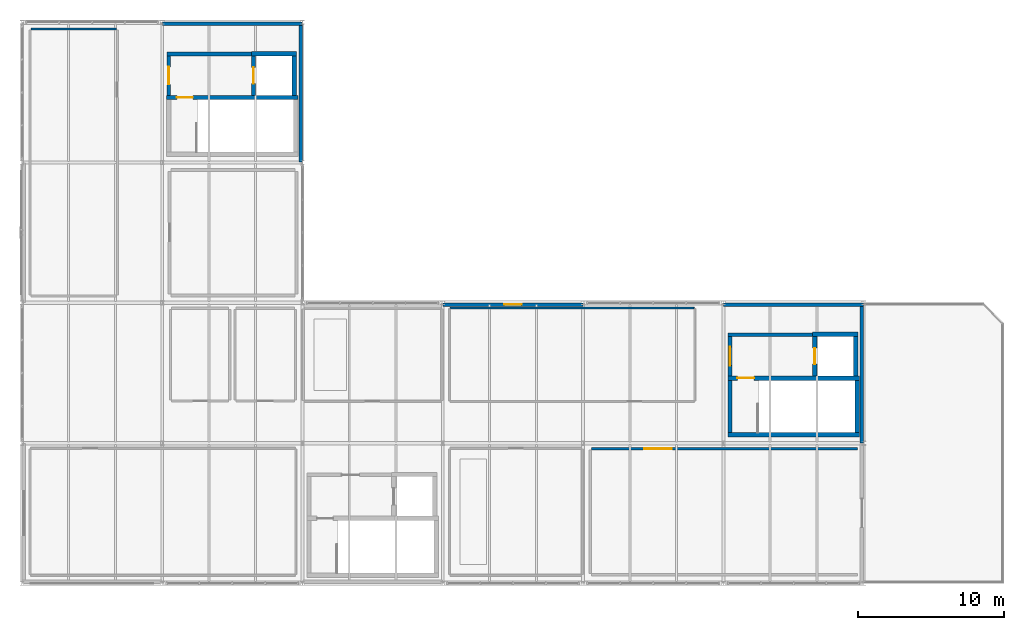
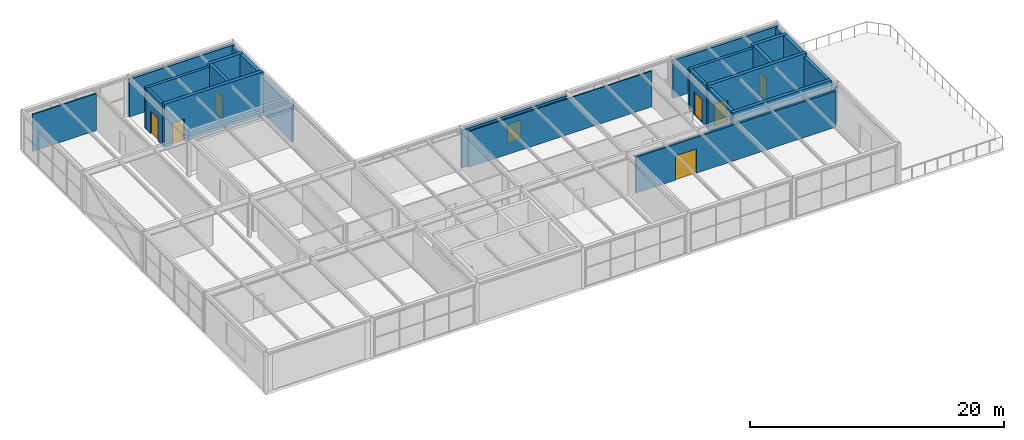
# One storey, part 32 of 33: 23 walls, 7 doors, 1 window, 8 openings.
"""IFC4 building model written with IfcOpenShell, lengths in metres."""

import ifcopenshell
import ifcopenshell.guid

model = None  # the IFC model being written
_history = None  # IfcOwnerHistory: only IFC2X3 demands one
_inside = {}  # id of a spatial element -> (the spatial element, [elements in it])
_under = {}  # id of a project, library or spatial element -> (it, [spatial elements below it])
_declared = {}  # id of a project -> (the project, [libraries it declares])
_typed = {}  # id of a type object -> (the type object, [elements of that type])
_made_of = {}  # id of a material, layer set ... -> (it, [elements and type objects made of it])


def new_model(schema):
    """Start an empty IFC model of exactly this schema.

    Asked for "IFC4X3", IfcOpenShell would pick the latest addendum, in which some entities
    have other attributes; the version numbers below select the first issue.
    IFC2X3 requires an IfcOwnerHistory on every rooted entity: one is made here for all.
    """
    global model, _history
    if schema == "IFC4X3":
        model = ifcopenshell.file(schema_version=(4, 3, 0, 0))
    else:
        model = ifcopenshell.file(schema=schema)
    _inside.clear()
    _under.clear()
    _declared.clear()
    _typed.clear()
    _made_of.clear()
    _history = None
    if model.schema == "IFC2X3":
        org = make("IfcOrganization", Name="unknown")
        user = make(
            "IfcPersonAndOrganization",
            ThePerson=make("IfcPerson", FamilyName="unknown"),
            TheOrganization=org,
        )
        app = make(
            "IfcApplication",
            ApplicationDeveloper=org,
            Version="unknown",
            ApplicationFullName="unknown",
            ApplicationIdentifier="unknown",
        )
        _history = make(
            "IfcOwnerHistory",
            OwningUser=user,
            OwningApplication=app,
            ChangeAction="ADDED",
            CreationDate=0,
        )
    return model


def make(cls, **values):
    """One entity of the class cls with the attributes given. An attribute that is None is left unset."""
    return model.create_entity(
        cls, **{name: value for name, value in values.items() if value is not None}
    )


def rooted(cls, **values):
    """An entity with a GlobalId (a new one), such as an element, a storey or a relation."""
    return make(cls, GlobalId=ifcopenshell.guid.new(), OwnerHistory=_history, **values)


def si_unit(unit_type, name, prefix=None):
    """IfcSIUnit, for example si_unit("LENGTHUNIT", "METRE", prefix="MILLI")."""
    return make("IfcSIUnit", UnitType=unit_type, Prefix=prefix, Name=name)


def assignment(units):
    """IfcUnitAssignment: the units of a project."""
    return None if units is None else make("IfcUnitAssignment", Units=units)


def point(xyz):
    """IfcCartesianPoint."""
    return None if xyz is None else make("IfcCartesianPoint", Coordinates=xyz)


def direction(xyz):
    """IfcDirection."""
    return None if xyz is None else make("IfcDirection", DirectionRatios=xyz)


def frame(location, z_axis=None, x_axis=None):
    """IfcAxis2Placement3D, a coordinate frame: its origin and axes. An axis left out is left unset."""
    return make(
        "IfcAxis2Placement3D",
        Location=point(location),
        Axis=direction(z_axis),
        RefDirection=direction(x_axis),
    )


def frame_2d(location, x_axis=None):
    """IfcAxis2Placement2D, a coordinate frame in the plane: its origin and x axis."""
    return make(
        "IfcAxis2Placement2D", Location=point(location), RefDirection=direction(x_axis)
    )


def origin():
    """The frame at (0, 0, 0) with its axes left unset."""
    return frame((0.0, 0.0, 0.0))


def place(relative_to, where):
    """IfcLocalPlacement: puts the frame where relative to a parent placement (None: the world)."""
    return make(
        "IfcLocalPlacement", PlacementRelTo=relative_to, RelativePlacement=where
    )


def context(
    kind, dimensions, precision=None, world=None, true_north=None, identifier=None
):
    """IfcGeometricRepresentationContext, for example the 3D "Model" context."""
    return make(
        "IfcGeometricRepresentationContext",
        ContextIdentifier=identifier,
        ContextType=kind,
        CoordinateSpaceDimension=dimensions,
        Precision=precision,
        WorldCoordinateSystem=world,
        TrueNorth=true_north,
    )


def subcontext(parent, identifier, kind, view, scale=None):
    """IfcGeometricRepresentationSubContext, for example "Body" below "Model"."""
    return make(
        "IfcGeometricRepresentationSubContext",
        ContextIdentifier=identifier,
        ContextType=kind,
        ParentContext=parent,
        TargetScale=scale,
        TargetView=view,
    )


def project(units=None, contexts=None):
    """IfcProject with its units and contexts."""
    return rooted(
        "IfcProject",
        Name="project",
        RepresentationContexts=contexts,
        UnitsInContext=assignment(units),
    )


def spatial(cls, under=None, at=None, **own):
    """A site, building, storey or space (cls), placed at a placement, below another one or the project."""
    s = rooted(cls, ObjectPlacement=at, **own)
    if under is not None:
        _under.setdefault(under.id(), (under, []))[1].append(s)
    return s


def profile(cls, at=None, kind="AREA", **sizes):
    """A parametric profile (cls). Its sizes go by their IFC names, for example OverallWidth=200.0."""
    return make(cls, ProfileType=kind, Position=at, **sizes)


def rectangle(**sizes):
    """IfcRectangleProfileDef."""
    return profile("IfcRectangleProfileDef", **sizes)


def extrude(swept, where, along, depth):
    """IfcExtrudedAreaSolid: the profile swept, set in the frame where, extruded along a direction by depth."""
    return make(
        "IfcExtrudedAreaSolid",
        SweptArea=swept,
        Position=where,
        ExtrudedDirection=direction(along),
        Depth=depth,
    )


def shape(context_of_items, identifier, shape_type, items):
    """IfcShapeRepresentation: the items that make up one representation, for example the "Body"."""
    return make(
        "IfcShapeRepresentation",
        ContextOfItems=context_of_items,
        RepresentationIdentifier=identifier,
        RepresentationType=shape_type,
        Items=items,
    )


def material(Name=None, Category=None):
    """IfcMaterial."""
    return make("IfcMaterial", Name=Name, Category=Category)


def layer(
    of_material, thickness, ventilated=None, Name=None, Category=None, Priority=None
):
    """IfcMaterialLayer: one layer of a wall or slab, of a material (None: an air gap)."""
    return make(
        "IfcMaterialLayer",
        Material=of_material,
        LayerThickness=thickness,
        IsVentilated=ventilated,
        Name=Name,
        Category=Category,
        Priority=Priority,
    )


def layer_set(layers, Name=None):
    """IfcMaterialLayerSet."""
    return make("IfcMaterialLayerSet", MaterialLayers=layers, LayerSetName=Name)


def made_of(thing, what):
    """Note that an element or type object is made of a material, layer set ...; save() writes the relation."""
    if what is not None:
        _made_of.setdefault(what.id(), (what, []))[1].append(thing)
    return thing


def type_object(cls, material=None, **own):
    """A type object (cls), such as IfcWallType, which elements share."""
    return made_of(rooted(cls, **own), material)


def element(
    cls,
    number,
    at=None,
    inside=None,
    cuts=None,
    type_object=None,
    material=None,
    context=None,
    identifier="Body",
    shape_type=None,
    held_by="IfcProductDefinitionShape",
    body=None,
    shapes=None,
    **own,
):
    """One element of the class cls, such as IfcWall. Its Tag is "e" and its number.

    at: its placement. inside: the storey or other place that contains it. cuts: it is an
    opening in that element (IfcRelVoidsElement). A single representation is given by context,
    identifier, shape_type and body (its items); several are given by shapes. held_by: the class
    of the entity that holds the representations. save() writes the other relations.
    """
    e = rooted(cls, Tag="e%d" % number, ObjectPlacement=at, **own)
    if body is not None:
        shapes = [shape(context, identifier, shape_type, body)]
    if shapes is not None:
        e.Representation = make(held_by, Representations=shapes)
    if inside is not None:
        _inside.setdefault(inside.id(), (inside, []))[1].append(e)
    if cuts is not None:
        rooted(
            "IfcRelVoidsElement", RelatingBuildingElement=cuts, RelatedOpeningElement=e
        )
    if type_object is not None:
        _typed.setdefault(type_object.id(), (type_object, []))[1].append(e)
    return made_of(e, material)


def fill(opening, filler):
    """IfcRelFillsElement: the door or window that sits in an opening."""
    return rooted(
        "IfcRelFillsElement",
        RelatingOpeningElement=opening,
        RelatedBuildingElement=filler,
    )


def aggregate(whole, parts):
    """IfcRelAggregates: a whole, such as a stair, and the parts it consists of."""
    return rooted("IfcRelAggregates", RelatingObject=whole, RelatedObjects=parts)


def save(model, path):
    """Write the relations noted so far, then the file.

    IfcRelAggregates (storeys below a building ...), IfcRelContainedInSpatialStructure (elements
    in a storey), IfcRelDefinesByType, IfcRelAssociatesMaterial and IfcRelDeclares: one each for
    every whole, place, type object, material and project.
    """
    for whole, parts in _under.values():
        aggregate(whole, parts)
    for where, things in _inside.values():
        rooted(
            "IfcRelContainedInSpatialStructure",
            RelatedElements=things,
            RelatingStructure=where,
        )
    for kind, things in _typed.values():
        rooted("IfcRelDefinesByType", RelatedObjects=things, RelatingType=kind)
    for what, things in _made_of.values():
        rooted("IfcRelAssociatesMaterial", RelatedObjects=things, RelatingMaterial=what)
    for by, libraries in _declared.values():
        rooted("IfcRelDeclares", RelatingContext=by, RelatedDefinitions=libraries)
    model.write(path)


model = new_model("IFC4")

# Units and contexts
model_context = context("Model", 3, precision=1e-05, world=origin(), true_north=direction((0.0, 1.0)))
body_context = subcontext(model_context, "Body", "Model", "MODEL_VIEW")
ifc_project = project(units=[si_unit("LENGTHUNIT", "METRE"), si_unit("AREAUNIT", "SQUARE_METRE"), si_unit("VOLUMEUNIT", "CUBIC_METRE"), si_unit("PLANEANGLEUNIT", "RADIAN"), si_unit("MASSUNIT", "GRAM", prefix="KILO")], contexts=[model_context])

# Site, building, storey
site_placement = place(None, origin())
site = spatial("IfcSite", under=ifc_project, at=site_placement, CompositionType="ELEMENT")
building_placement = place(site_placement, origin())
building = spatial("IfcBuilding", under=site, at=building_placement, Name="Coralgate Yard Interchange", CompositionType="ELEMENT")
storey_placement = place(building_placement, frame((0.0, 0.0, 23.10009765625)))
storey = spatial("IfcBuildingStorey", under=building, at=storey_placement, Name="L05", CompositionType="ELEMENT", Elevation=23.10009765625)

# Wall, opening, door
ifc_material_1 = material(Name="Concrete C40/50", Category="concrete")
ifc_layer_1 = layer(ifc_material_1, 0.300048828125)
ifc_layer_set_1 = layer_set([ifc_layer_1], Name="Concrete C40/50")
wall_type_1 = type_object("IfcWallType", Name="WAL-CW300", PredefinedType="SHEAR", material=ifc_layer_set_1)
wall_1_placement = place(storey_placement, frame((18.89990234375, 33.25, 0.0), z_axis=(0.0, 0.0, 1.0), x_axis=(-1.0, 0.0, 0.0)))
wall_1 = element("IfcWall", 1, at=wall_1_placement, inside=storey, type_object=wall_type_1, Name="C1 L05 stair north shear wall", PredefinedType="SHEAR", context=body_context, shape_type="SweptSolid", body=[
    extrude(rectangle(XDim=9.0, YDim=0.300048828125, at=frame_2d((4.5, 0.0))), origin(), (0.0, 0.0, 1.0), 4.199951171875),
])
opening_1_placement = place(wall_1_placement, frame((7.199951171875, 0.0, 0.0)))
opening_1 = element("IfcOpeningElement", 2, at=opening_1_placement, cuts=wall_1, Name="Opening FD-1", PredefinedType="OPENING", context=body_context, shape_type="SweptSolid", body=[
    extrude(rectangle(XDim=1.10009765625, YDim=2.14990234375, at=frame_2d((0.550048828125, 1.074951171875))), frame((0.0, 0.159912109375, 0.0), z_axis=(0.0, -1.0, 0.0), x_axis=(1.0, 0.0, 0.0)), (0.0, 0.0, 1.0), 0.320068359375),
])
ifc_material_2 = material(Name="Powder-coated steel fire door assembly", Category="steel")
door_type_1 = type_object("IfcDoorType", Name="DOR-FD-1", OperationType="NOTDEFINED", PredefinedType="DOOR", material=ifc_material_2)
door_1_placement = place(opening_1_placement, frame((1.10009765625, 0.0, 0.0), z_axis=(0.0, 0.0, 1.0), x_axis=(-1.0, 0.0, 0.0)))
door_1 = element("IfcDoor", 3, at=door_1_placement, inside=storey, type_object=door_type_1, Name="C1 L05 stair fire door", OperationType="SINGLE_SWING_RIGHT", OverallHeight=2.14990234375, OverallWidth=1.10009765625, PredefinedType="DOOR", context=body_context, shape_type="SweptSolid", body=[
    extrude(rectangle(XDim=1.10009765625, YDim=2.14990234375, at=frame_2d((0.550048828125, 1.074951171875))), frame((0.0, 0.02490234375, 0.0), z_axis=(0.0, -1.0, 0.0), x_axis=(1.0, 0.0, 0.0)), (0.0, 0.0, 1.0), 0.050048828125),
])
fill(opening_1, door_1)

wall_2_placement = place(storey_placement, frame((15.85009765625, 36.10009765625, 0.0), z_axis=(0.0, 0.0, 1.0), x_axis=(0.0, -1.0, 0.0)))
wall_2 = element("IfcWall", 4, at=wall_2_placement, inside=storey, type_object=wall_type_1, Name="C1 L05 lift front shear wall", PredefinedType="SHEAR", context=body_context, shape_type="SweptSolid", body=[
    extrude(rectangle(XDim=2.7001953125, YDim=0.300048828125, at=frame_2d((1.35009765625, 0.0))), origin(), (0.0, 0.0, 1.0), 4.199951171875),
])
opening_2_placement = place(wall_2_placement, frame((0.800048828125, 0.0, 0.0)))
opening_2 = element("IfcOpeningElement", 5, at=opening_2_placement, cuts=wall_2, Name="Opening LD-1", PredefinedType="OPENING", context=body_context, shape_type="SweptSolid", body=[
    extrude(rectangle(XDim=1.10009765625, YDim=2.10009765625, at=frame_2d((0.550048828125, 1.050048828125))), frame((0.0, 0.159912109375, 0.0), z_axis=(0.0, -1.0, 0.0), x_axis=(1.0, 0.0, 0.0)), (0.0, 0.0, 1.0), 0.320068359375),
])
ifc_material_3 = material(Name="Brushed stainless steel firefighting lift landing door", Category="steel")
door_type_2 = type_object("IfcDoorType", Name="DOR-LD-1", OperationType="DOUBLE_DOOR_SLIDING", PredefinedType="DOOR", material=ifc_material_3)
door_2_placement = place(opening_2_placement, frame((1.10009765625, 0.0, 0.0), z_axis=(0.0, 0.0, 1.0), x_axis=(-1.0, 0.0, 0.0)))
door_2 = element("IfcDoor", 6, at=door_2_placement, inside=storey, type_object=door_type_2, Name="FFL-01 L05 sliding lift landing door", OperationType="DOUBLE_DOOR_SLIDING", OverallHeight=2.10009765625, OverallWidth=1.10009765625, PredefinedType="DOOR", context=body_context, shape_type="SweptSolid", body=[
    extrude(rectangle(XDim=1.10009765625, YDim=2.10009765625, at=frame_2d((0.550048828125, 1.050048828125))), frame((0.0, 0.02490234375, 0.0), z_axis=(0.0, -1.0, 0.0), x_axis=(1.0, 0.0, 0.0)), (0.0, 0.0, 1.0), 0.050048828125),
])
fill(opening_2, door_2)

# Walls
wall_3_placement = place(storey_placement, frame((18.64990234375, 33.39990234375, 0.0), z_axis=(0.0, 0.0, 1.0), x_axis=(0.0, 1.0, 0.0)))
element("IfcWall", 7, at=wall_3_placement, inside=storey, type_object=wall_type_1, Name="C1 L05 lift rear shear wall", PredefinedType="SHEAR", context=body_context, shape_type="SweptSolid", body=[
    extrude(rectangle(XDim=2.7001953125, YDim=0.300048828125, at=frame_2d((1.35009765625, 0.0))), origin(), (0.0, 0.0, 1.0), 4.199951171875),
])
wall_4_placement = place(storey_placement, frame((15.699951171875, 36.25, 0.0), z_axis=(0.0, 0.0, 1.0), x_axis=(1.0, 0.0, 0.0)))
element("IfcWall", 8, at=wall_4_placement, inside=storey, type_object=wall_type_1, Name="C1 L05 lift north shear wall", PredefinedType="SHEAR", context=body_context, shape_type="SweptSolid", body=[
    extrude(rectangle(XDim=3.10009765625, YDim=0.300048828125, at=frame_2d((1.550048828125, 0.0))), origin(), (0.0, 0.0, 1.0), 4.199951171875),
])
wall_5_placement = place(storey_placement, frame((48.300048828125, 10.169921875, 0.0), z_axis=(0.0, 0.0, 1.0), x_axis=(1.0, 0.0, 0.0)))
element("IfcWall", 9, at=wall_5_placement, inside=storey, type_object=wall_type_1, Name="C2 L05 stair south shear wall", PredefinedType="SHEAR", context=body_context, shape_type="SweptSolid", body=[
    extrude(rectangle(XDim=9.0, YDim=0.300048828125, at=frame_2d((4.5, 0.0))), origin(), (0.0, 0.0, 1.0), 3.919921875),
])

# Wall, opening, door
wall_6_placement = place(storey_placement, frame((57.300048828125, 14.050048828125, 0.0), z_axis=(0.0, 0.0, 1.0), x_axis=(-1.0, 0.0, 0.0)))
wall_6 = element("IfcWall", 10, at=wall_6_placement, inside=storey, type_object=wall_type_1, Name="C2 L05 stair north shear wall", PredefinedType="SHEAR", context=body_context, shape_type="SweptSolid", body=[
    extrude(rectangle(XDim=9.0, YDim=0.300048828125, at=frame_2d((4.5, 0.0))), origin(), (0.0, 0.0, 1.0), 4.199951171875),
])
opening_3_placement = place(wall_6_placement, frame((7.199951171875, 0.0, 0.0)))
opening_3 = element("IfcOpeningElement", 11, at=opening_3_placement, cuts=wall_6, Name="Opening FD-1B", PredefinedType="OPENING", context=body_context, shape_type="SweptSolid", body=[
    extrude(rectangle(XDim=1.14990234375, YDim=2.14990234375, at=frame_2d((0.574951171875, 1.074951171875))), frame((0.0, 0.159912109375, 0.0), z_axis=(0.0, -1.0, 0.0), x_axis=(1.0, 0.0, 0.0)), (0.0, 0.0, 1.0), 0.320068359375),
])
door_type_3 = type_object("IfcDoorType", Name="DOR-FD-1B", OperationType="NOTDEFINED", PredefinedType="DOOR", material=ifc_material_2)
door_3_placement = place(opening_3_placement, frame((1.14990234375, 0.0, 0.0), z_axis=(0.0, 0.0, 1.0), x_axis=(-1.0, 0.0, 0.0)))
door_3 = element("IfcDoor", 12, at=door_3_placement, inside=storey, type_object=door_type_3, Name="C2 L05 stair fire door", OperationType="SINGLE_SWING_LEFT", OverallHeight=2.14990234375, OverallWidth=1.14990234375, PredefinedType="DOOR", context=body_context, shape_type="SweptSolid", body=[
    extrude(rectangle(XDim=1.14990234375, YDim=2.14990234375, at=frame_2d((0.574951171875, 1.074951171875))), frame((0.0, 0.02490234375, 0.0), z_axis=(0.0, -1.0, 0.0), x_axis=(1.0, 0.0, 0.0)), (0.0, 0.0, 1.0), 0.050048828125),
])
fill(opening_3, door_3)

# Walls
for number, where, z_axis, x_axis, name in (
    (13, (48.449951171875, 10.320068359375, 0.0), (0.0, 0.0, 1.0), (0.0, 1.0, 0.0), "C2 L05 stair west shear wall"),
    (14, (57.14990234375, 13.89990234375, 0.0), (0.0, 0.0, 1.0), (0.0, -1.0, 0.0), "C2 L05 stair east shear wall"),
):
    element("IfcWall", number, at=place(storey_placement, frame(where, z_axis=z_axis, x_axis=x_axis)), inside=storey, type_object=wall_type_1, Name=name, PredefinedType="SHEAR", context=body_context, shape_type="SweptSolid", body=[
        extrude(rectangle(XDim=3.579833984375, YDim=0.300048828125, at=frame_2d((1.7900390625, 0.0))), origin(), (0.0, 0.0, 1.0), 3.919921875),
    ])

# Wall, opening, door
wall_7_placement = place(storey_placement, frame((54.25, 16.89990234375, 0.0), z_axis=(0.0, 0.0, 1.0), x_axis=(0.0, -1.0, 0.0)))
wall_7 = element("IfcWall", 15, at=wall_7_placement, inside=storey, type_object=wall_type_1, Name="C2 L05 lift front shear wall", PredefinedType="SHEAR", context=body_context, shape_type="SweptSolid", body=[
    extrude(rectangle(XDim=2.699951171875, YDim=0.300048828125, at=frame_2d((1.35009765625, 0.0))), origin(), (0.0, 0.0, 1.0), 4.199951171875),
])
opening_4_placement = place(wall_7_placement, frame((0.800048828125, 0.0, 0.0)))
opening_4 = element("IfcOpeningElement", 16, at=opening_4_placement, cuts=wall_7, Name="Opening LD-1", PredefinedType="OPENING", context=body_context, shape_type="SweptSolid", body=[
    extrude(rectangle(XDim=1.10009765625, YDim=2.10009765625, at=frame_2d((0.550048828125, 1.050048828125))), frame((0.0, 0.159912109375, 0.0), z_axis=(0.0, -1.0, 0.0), x_axis=(1.0, 0.0, 0.0)), (0.0, 0.0, 1.0), 0.320068359375),
])
door_4_placement = place(opening_4_placement, frame((1.10009765625, 0.0, 0.0), z_axis=(0.0, 0.0, 1.0), x_axis=(-1.0, 0.0, 0.0)))
door_4 = element("IfcDoor", 17, at=door_4_placement, inside=storey, type_object=door_type_2, Name="FFL-02 L05 sliding lift landing door", OperationType="DOUBLE_DOOR_SLIDING", OverallHeight=2.10009765625, OverallWidth=1.10009765625, PredefinedType="DOOR", context=body_context, shape_type="SweptSolid", body=[
    extrude(rectangle(XDim=1.10009765625, YDim=2.10009765625, at=frame_2d((0.550048828125, 1.050048828125))), frame((0.0, 0.02490234375, 0.0), z_axis=(0.0, -1.0, 0.0), x_axis=(1.0, 0.0, 0.0)), (0.0, 0.0, 1.0), 0.050048828125),
])
fill(opening_4, door_4)

# Walls
wall_8_placement = place(storey_placement, frame((57.050048828125, 14.199951171875, 0.0), z_axis=(0.0, 0.0, 1.0), x_axis=(0.0, 1.0, 0.0)))
element("IfcWall", 18, at=wall_8_placement, inside=storey, type_object=wall_type_1, Name="C2 L05 lift rear shear wall", PredefinedType="SHEAR", context=body_context, shape_type="SweptSolid", body=[
    extrude(rectangle(XDim=2.699951171875, YDim=0.300048828125, at=frame_2d((1.35009765625, 0.0))), origin(), (0.0, 0.0, 1.0), 4.199951171875),
])
wall_9_placement = place(storey_placement, frame((54.10009765625, 17.050048828125, 0.0), z_axis=(0.0, 0.0, 1.0), x_axis=(1.0, 0.0, 0.0)))
element("IfcWall", 19, at=wall_9_placement, inside=storey, type_object=wall_type_1, Name="C2 L05 lift north shear wall", PredefinedType="SHEAR", context=body_context, shape_type="SweptSolid", body=[
    extrude(rectangle(XDim=3.099853515625, YDim=0.300048828125, at=frame_2d((1.5498046875, 0.0))), origin(), (0.0, 0.0, 1.0), 4.199951171875),
])
ifc_material_4 = material(Name="Insulated rendered concrete blockwork", Category="masonry")
ifc_layer_2 = layer(ifc_material_4, 0.239990234375)
ifc_layer_set_2 = layer_set([ifc_layer_2], Name="Insulated rendered concrete blockwork")
wall_type_2 = type_object("IfcWallType", Name="WAL-EW-240", PredefinedType="SOLIDWALL", material=ifc_layer_set_2)
wall_10_placement = place(storey_placement, frame((9.6201171875, 38.280029296875, 0.0), z_axis=(0.0, 0.0, 1.0), x_axis=(1.0, 0.0, 0.0)))
element("IfcWall", 20, at=wall_10_placement, inside=storey, type_object=wall_type_2, Name="L05 exterior coastal wall N 1-3", PredefinedType="SOLIDWALL", context=body_context, shape_type="SweptSolid", body=[
    extrude(rectangle(XDim=9.559814453125, YDim=0.239990234375, at=frame_2d((4.77978515625, 0.0))), origin(), (0.0, 0.0, 1.0), 3.6298828125),
])
wall_11_placement = place(storey_placement, frame((19.080078125, 38.3798828125, 0.0), z_axis=(0.0, 0.0, 1.0), x_axis=(0.0, -1.0, 0.0)))
element("IfcWall", 21, at=wall_11_placement, inside=storey, type_object=wall_type_2, Name="L05 exterior coastal wall E 1-3", PredefinedType="SOLIDWALL", context=body_context, shape_type="SweptSolid", body=[
    extrude(rectangle(XDim=9.559814453125, YDim=0.239990234375, at=frame_2d((4.77978515625, 0.0))), origin(), (0.0, 0.0, 1.0), 3.462890625),
])

# Wall, opening, window
wall_12_placement = place(storey_placement, frame((28.820068359375, 19.080078125, 0.0), z_axis=(0.0, 0.0, 1.0), x_axis=(1.0, 0.0, 0.0)))
wall_12 = element("IfcWall", 22, at=wall_12_placement, inside=storey, type_object=wall_type_2, Name="L05 exterior coastal wall N 3-1", PredefinedType="SOLIDWALL", context=body_context, shape_type="SweptSolid", body=[
    extrude(rectangle(XDim=9.559814453125, YDim=0.239990234375, at=frame_2d((4.77978515625, 0.0))), origin(), (0.0, 0.0, 1.0), 3.6298828125),
])
opening_5_placement = place(wall_12_placement, frame((4.179931640625, 0.0, 0.89990234375)))
opening_5 = element("IfcOpeningElement", 23, at=opening_5_placement, cuts=wall_12, Name="Opening W-12", PredefinedType="OPENING", context=body_context, shape_type="SweptSolid", body=[
    extrude(rectangle(XDim=1.199951171875, YDim=1.800048828125, at=frame_2d((0.60009765625, 0.89990234375))), frame((0.0, 0.1298828125, 0.0), z_axis=(0.0, -1.0, 0.0), x_axis=(1.0, 0.0, 0.0)), (0.0, 0.0, 1.0), 0.260009765625),
])
ifc_material_5 = material(Name="Thermally broken anodised aluminium and solar-control low-E glass", Category="aluminium")
window_type = type_object("IfcWindowType", Name="WIN-W-12", PartitioningType="SINGLE_PANEL", PredefinedType="WINDOW", material=ifc_material_5)
window_placement = place(opening_5_placement, origin())
window = element("IfcWindow", 24, at=window_placement, inside=storey, type_object=window_type, Name="L05 coastal facade window N-3-1", OverallHeight=1.800048828125, OverallWidth=1.199951171875, PartitioningType="SINGLE_PANEL", PredefinedType="WINDOW", context=body_context, shape_type="SweptSolid", body=[
    extrude(rectangle(XDim=1.199951171875, YDim=1.800048828125, at=frame_2d((0.60009765625, 0.89990234375))), frame((0.0, 0.030029296875, 0.0), z_axis=(0.0, -1.0, 0.0), x_axis=(1.0, 0.0, 0.0)), (0.0, 0.0, 1.0), 0.06005859375),
])
fill(opening_5, window)

# Walls
wall_13_placement = place(storey_placement, frame((48.02001953125, 19.080078125, 0.0), z_axis=(0.0, 0.0, 1.0), x_axis=(1.0, 0.0, 0.0)))
element("IfcWall", 25, at=wall_13_placement, inside=storey, type_object=wall_type_2, Name="L05 exterior coastal wall N 5-1", PredefinedType="SOLIDWALL", context=body_context, shape_type="SweptSolid", body=[
    extrude(rectangle(XDim=9.56005859375, YDim=0.239990234375, at=frame_2d((4.780029296875, 0.0))), origin(), (0.0, 0.0, 1.0), 3.6298828125),
])
wall_14_placement = place(storey_placement, frame((57.47998046875, 19.179931640625, 0.0), z_axis=(0.0, 0.0, 1.0), x_axis=(0.0, -1.0, 0.0)))
element("IfcWall", 26, at=wall_14_placement, inside=storey, type_object=wall_type_2, Name="L05 exterior coastal wall E 5-1", PredefinedType="SOLIDWALL", context=body_context, shape_type="SweptSolid", body=[
    extrude(rectangle(XDim=9.559814453125, YDim=0.239990234375, at=frame_2d((4.77978515625, 0.0))), origin(), (0.0, 0.0, 1.0), 3.462890625),
])
ifc_material_6 = material(Name="Glazed acoustic office partition")
ifc_layer_3 = layer(ifc_material_6, 0.110107421875)
ifc_layer_set_3 = layer_set([ifc_layer_3], Name="Glazed acoustic office partition")
wall_type_3 = type_object("IfcWallType", Name="WAL-PW-110", PredefinedType="PARTITIONING", material=ifc_layer_set_3)
wall_15_placement = place(storey_placement, frame((29.31005859375, 18.844970703125, 0.0), z_axis=(0.0, 0.0, 1.0), x_axis=(1.0, 0.0, 0.0)))
element("IfcWall", 27, at=wall_15_placement, inside=storey, type_object=wall_type_3, Name="Directorate and Legal Advisory Offices partition N", PredefinedType="PARTITIONING", context=body_context, shape_type="SweptSolid", body=[
    extrude(rectangle(XDim=16.679931640625, YDim=0.110107421875, at=frame_2d((8.33984375, 0.0))), origin(), (0.0, 0.0, 1.0), 3.452880859375),
])
ifc_material_7 = material(Name="Acoustic twin-stud office partition")
ifc_layer_4 = layer(ifc_material_7, 0.139892578125)
ifc_layer_set_4 = layer_set([ifc_layer_4], Name="Acoustic twin-stud office partition")
wall_type_4 = type_object("IfcWallType", Name="WAL-PW-140", PredefinedType="PARTITIONING", material=ifc_layer_set_4)
wall_16_placement = place(storey_placement, frame((0.639892578125, 37.929931640625, 0.0), z_axis=(0.0, 0.0, 1.0), x_axis=(1.0, 0.0, 0.0)))
element("IfcWall", 28, at=wall_16_placement, inside=storey, type_object=wall_type_4, Name="Executive Veranda Reception Lounge partition N", PredefinedType="PARTITIONING", context=body_context, shape_type="SweptSolid", body=[
    extrude(rectangle(XDim=5.820068359375, YDim=0.139892578125, at=frame_2d((2.91015625, 0.0))), origin(), (0.0, 0.0, 1.0), 3.559814453125),
])

# Wall, opening, door
ifc_material_8 = material(Name="Acoustic concrete blockwork", Category="masonry")
ifc_layer_5 = layer(ifc_material_8, 0.179931640625)
ifc_layer_set_5 = layer_set([ifc_layer_5], Name="Acoustic concrete blockwork")
wall_type_5 = type_object("IfcWallType", Name="WAL-PW-180", PredefinedType="PARTITIONING", material=ifc_layer_set_5)
wall_17_placement = place(storey_placement, frame((38.97998046875, 9.2099609375, 0.0), z_axis=(0.0, 0.0, 1.0), x_axis=(1.0, 0.0, 0.0)))
wall_17 = element("IfcWall", 29, at=wall_17_placement, inside=storey, type_object=wall_type_5, Name="Executive Transit Board Conference Hall partition N", PredefinedType="PARTITIONING", context=body_context, shape_type="SweptSolid", body=[
    extrude(rectangle(XDim=18.179931640625, YDim=0.179931640625, at=frame_2d((9.08984375, 0.0))), origin(), (0.0, 0.0, 1.0), 3.452880859375),
])
opening_6_placement = place(wall_17_placement, frame((3.60009765625, 0.0, 0.0)))
opening_6 = element("IfcOpeningElement", 30, at=opening_6_placement, cuts=wall_17, Name="Opening ID-21", PredefinedType="OPENING", context=body_context, shape_type="SweptSolid", body=[
    extrude(rectangle(XDim=1.89990234375, YDim=2.35009765625, at=frame_2d((0.949951171875, 1.175048828125))), frame((0.0, 0.099853515625, 0.0), z_axis=(0.0, -1.0, 0.0), x_axis=(1.0, 0.0, 0.0)), (0.0, 0.0, 1.0), 0.199951171875),
])
ifc_material_9 = material(Name="Briefing and conference double door")
door_type_4 = type_object("IfcDoorType", Name="DOR-ID-21", OperationType="NOTDEFINED", PredefinedType="DOOR", material=ifc_material_9)
door_5_placement = place(opening_6_placement, origin())
door_5 = element("IfcDoor", 31, at=door_5_placement, inside=storey, type_object=door_type_4, Name="Executive Transit Board Conference Hall door", OperationType="DOUBLE_DOOR_SINGLE_SWING", OverallHeight=2.35009765625, OverallWidth=1.89990234375, PredefinedType="DOOR", context=body_context, shape_type="SweptSolid", body=[
    extrude(rectangle(XDim=1.89990234375, YDim=2.35009765625, at=frame_2d((0.949951171875, 1.175048828125))), frame((0.0, 0.02490234375, 0.0), z_axis=(0.0, -1.0, 0.0), x_axis=(1.0, 0.0, 0.0)), (0.0, 0.0, 1.0), 0.050048828125),
])
fill(opening_6, door_5)

# Wall
ifc_layer_6 = layer(ifc_material_1, 0.25)
ifc_layer_set_6 = layer_set([ifc_layer_6], Name="Concrete C40/50")
wall_type_6 = type_object("IfcWallType", Name="WAL-SW250", PredefinedType="SHEAR", material=ifc_layer_set_6)
wall_18_placement = place(storey_placement, frame((15.699951171875, 36.22509765625, 0.0), z_axis=(0.0, 0.0, 1.0), x_axis=(-1.0, 0.0, 0.0)))
element("IfcWall", 32, at=wall_18_placement, inside=storey, type_object=wall_type_6, Name="C1 L05 lobby north fire wall", PredefinedType="SHEAR", context=body_context, shape_type="SweptSolid", body=[
    extrude(rectangle(XDim=5.77490234375, YDim=0.25, at=frame_2d((2.887451171875, 0.0))), origin(), (0.0, 0.0, 1.0), 3.919921875),
])

# Wall, opening, door
wall_19_placement = place(storey_placement, frame((10.050048828125, 33.39990234375, 0.0), z_axis=(0.0, 0.0, 1.0), x_axis=(0.0, 1.0, 0.0)))
wall_19 = element("IfcWall", 33, at=wall_19_placement, inside=storey, type_object=wall_type_6, Name="C1 L05 lobby west fire wall", PredefinedType="SHEAR", context=body_context, shape_type="SweptSolid", body=[
    extrude(rectangle(XDim=2.7001953125, YDim=0.25, at=frame_2d((1.35009765625, 0.0))), origin(), (0.0, 0.0, 1.0), 3.919921875),
])
opening_7_placement = place(wall_19_placement, frame((0.75, 0.0, 0.0)))
opening_7 = element("IfcOpeningElement", 34, at=opening_7_placement, cuts=wall_19, Name="Opening FD-2", PredefinedType="OPENING", context=body_context, shape_type="SweptSolid", body=[
    extrude(rectangle(XDim=1.199951171875, YDim=2.14990234375, at=frame_2d((0.60009765625, 1.074951171875))), frame((0.0, 0.135009765625, 0.0), z_axis=(0.0, -1.0, 0.0), x_axis=(1.0, 0.0, 0.0)), (0.0, 0.0, 1.0), 0.27001953125),
])
door_type_5 = type_object("IfcDoorType", Name="DOR-FD-2", OperationType="NOTDEFINED", PredefinedType="DOOR", material=ifc_material_2)
door_6_placement = place(opening_7_placement, frame((1.199951171875, 0.0, 0.0), z_axis=(0.0, 0.0, 1.0), x_axis=(-1.0, 0.0, 0.0)))
door_6 = element("IfcDoor", 35, at=door_6_placement, inside=storey, type_object=door_type_5, Name="C1 L05 lobby fire door", OperationType="SINGLE_SWING_LEFT", OverallHeight=2.14990234375, OverallWidth=1.199951171875, PredefinedType="DOOR", context=body_context, shape_type="SweptSolid", body=[
    extrude(rectangle(XDim=1.199951171875, YDim=2.14990234375, at=frame_2d((0.60009765625, 1.074951171875))), frame((0.0, 0.02490234375, 0.0), z_axis=(0.0, -1.0, 0.0), x_axis=(1.0, 0.0, 0.0)), (0.0, 0.0, 1.0), 0.050048828125),
])
fill(opening_7, door_6)

# Wall
wall_20_placement = place(storey_placement, frame((54.10009765625, 17.02490234375, 0.0), z_axis=(0.0, 0.0, 1.0), x_axis=(-1.0, 0.0, 0.0)))
element("IfcWall", 36, at=wall_20_placement, inside=storey, type_object=wall_type_6, Name="C2 L05 lobby north fire wall", PredefinedType="SHEAR", context=body_context, shape_type="SweptSolid", body=[
    extrude(rectangle(XDim=5.775146484375, YDim=0.25, at=frame_2d((2.8876953125, 0.0))), origin(), (0.0, 0.0, 1.0), 3.919921875),
])

# Wall, opening, door
wall_21_placement = place(storey_placement, frame((48.449951171875, 14.199951171875, 0.0), z_axis=(0.0, 0.0, 1.0), x_axis=(0.0, 1.0, 0.0)))
wall_21 = element("IfcWall", 37, at=wall_21_placement, inside=storey, type_object=wall_type_6, Name="C2 L05 lobby west fire wall", PredefinedType="SHEAR", context=body_context, shape_type="SweptSolid", body=[
    extrude(rectangle(XDim=2.699951171875, YDim=0.25, at=frame_2d((1.35009765625, 0.0))), origin(), (0.0, 0.0, 1.0), 3.919921875),
])
opening_8_placement = place(wall_21_placement, frame((0.7099609375, 0.0, 0.0)))
opening_8 = element("IfcOpeningElement", 38, at=opening_8_placement, cuts=wall_21, Name="Opening FD-2B", PredefinedType="OPENING", context=body_context, shape_type="SweptSolid", body=[
    extrude(rectangle(XDim=1.280029296875, YDim=2.199951171875, at=frame_2d((0.64013671875, 1.10009765625))), frame((0.0, 0.135009765625, 0.0), z_axis=(0.0, -1.0, 0.0), x_axis=(1.0, 0.0, 0.0)), (0.0, 0.0, 1.0), 0.27001953125),
])
door_type_6 = type_object("IfcDoorType", Name="DOR-FD-2B", OperationType="NOTDEFINED", PredefinedType="DOOR", material=ifc_material_2)
door_7_placement = place(opening_8_placement, frame((1.280029296875, 0.0, 0.0), z_axis=(0.0, 0.0, 1.0), x_axis=(-1.0, 0.0, 0.0)))
door_7 = element("IfcDoor", 39, at=door_7_placement, inside=storey, type_object=door_type_6, Name="C2 L05 lobby fire door", OperationType="SINGLE_SWING_RIGHT", OverallHeight=2.199951171875, OverallWidth=1.280029296875, PredefinedType="DOOR", context=body_context, shape_type="SweptSolid", body=[
    extrude(rectangle(XDim=1.280029296875, YDim=2.199951171875, at=frame_2d((0.64013671875, 1.10009765625))), frame((0.0, 0.02490234375, 0.0), z_axis=(0.0, -1.0, 0.0), x_axis=(1.0, 0.0, 0.0)), (0.0, 0.0, 1.0), 0.050048828125),
])
fill(opening_8, door_7)

save(model, "model.ifc")
